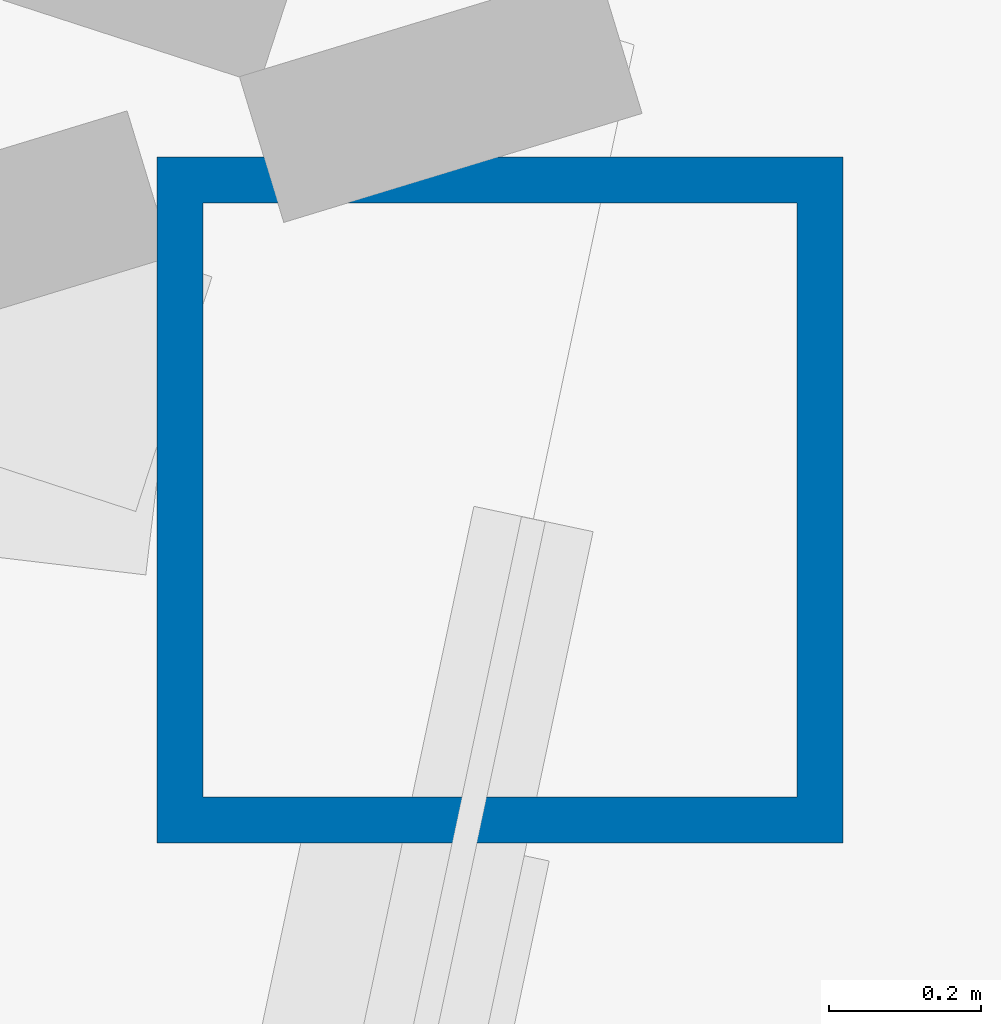
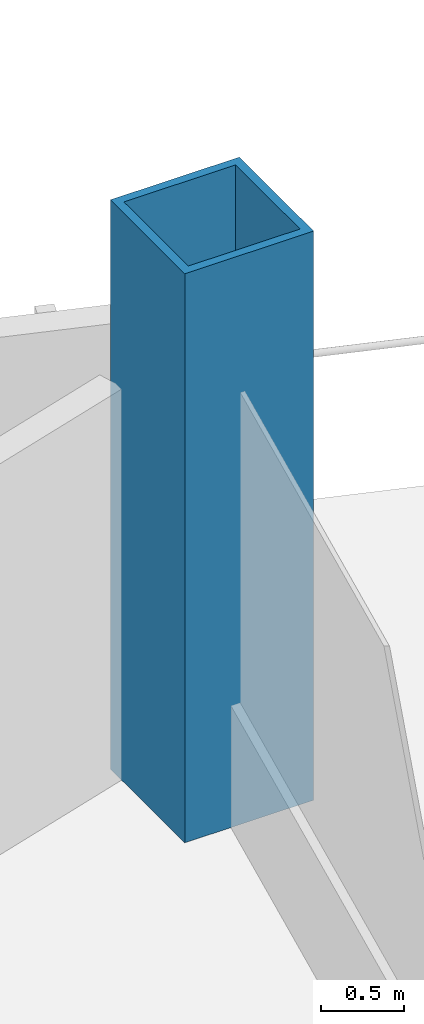
# One storey, part 2 of 21: 1 column.
"""IFC4 building model written with IfcOpenShell, lengths in metres."""

from ifc_helpers import new_model, si_unit, direction, frame, origin, origin_2d, place, context, subcontext, project, spatial, hollow_rectangle, extrude, material, material_profile, profile_set, type_object, element, save


model = new_model("IFC4")

# Units and contexts
model_context = context("Model", 3, precision=1e-05, world=origin(), true_north=direction((0.0, 1.0)))
body_context = subcontext(model_context, "Body", "Model", "MODEL_VIEW")
ifc_project = project(units=[si_unit("LENGTHUNIT", "METRE"), si_unit("AREAUNIT", "SQUARE_METRE"), si_unit("VOLUMEUNIT", "CUBIC_METRE"), si_unit("PLANEANGLEUNIT", "RADIAN"), si_unit("MASSUNIT", "GRAM", prefix="KILO")], contexts=[model_context])

# Site, building, storey
site_placement = place(None, origin())
site = spatial("IfcSite", under=ifc_project, at=site_placement, CompositionType="ELEMENT")
building_placement = place(site_placement, origin())
building = spatial("IfcBuilding", under=site, at=building_placement, Name="Cormorant Prow Tower", CompositionType="ELEMENT")
storey_placement = place(building_placement, frame((0.0, 0.0, 108.0)))
storey = spatial("IfcBuildingStorey", under=building, at=storey_placement, Name="L22", CompositionType="ELEMENT", Elevation=108.0)

# Column
ifc_material = material(Name="Structural steel ASTM A572 Gr 50", Category="steel")
ifc_material_profile = material_profile(ifc_material, hollow_rectangle(XDim=0.89990234375, YDim=0.89990234375, WallThickness=0.06005859375, at=origin_2d()), Name="Box 900x900x60")
ifc_profile_set = profile_set([ifc_material_profile], Name="Structural steel ASTM A572 Gr 50")
column_type = type_object("IfcColumnType", Name="Perimeter box column 900x900x60", PredefinedType="COLUMN", material=ifc_profile_set)
column_placement = place(storey_placement, frame((32.1962890625, -4.967041015625, 0.0), z_axis=(0.0, 0.0, 1.0), x_axis=(1.0, 0.0, 0.0)))
element("IfcColumn", 1, at=column_placement, inside=storey, type_object=column_type, Name="Perimeter column C3 at ENE01 L22", PredefinedType="COLUMN", context=body_context, shape_type="SweptSolid", body=[
    extrude(hollow_rectangle(XDim=0.89990234375, YDim=0.89990234375, WallThickness=0.06005859375, at=origin_2d()), origin(), (0.0, 0.0, 1.0), 4.199951171875),
])

save(model, "model.ifc")
